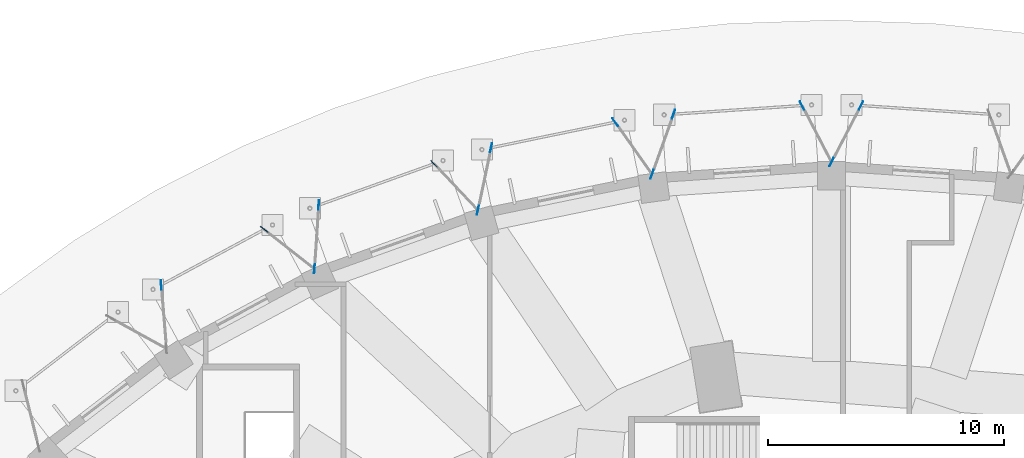
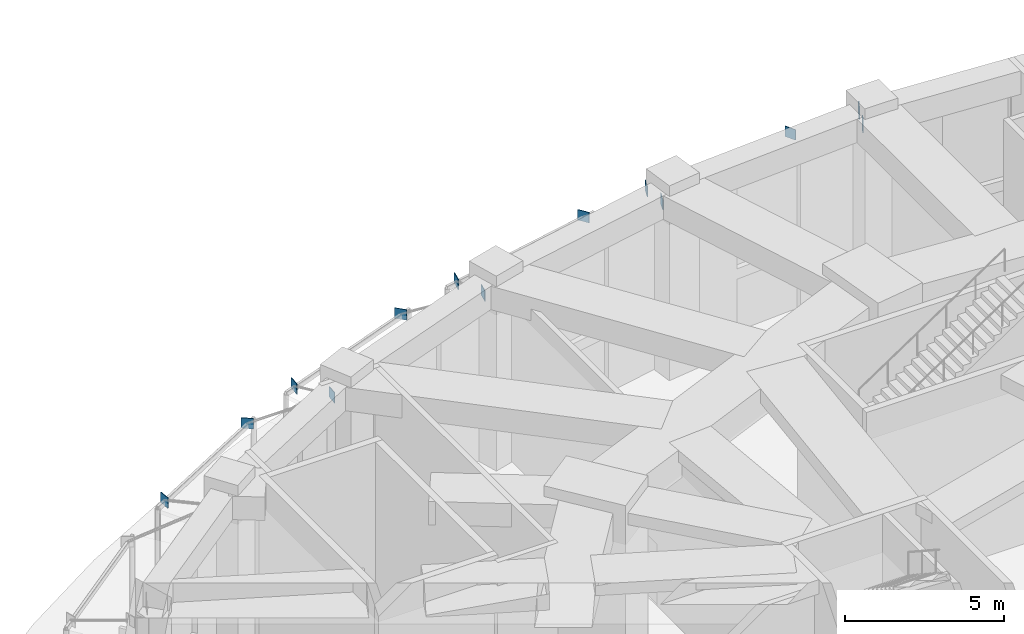
# One storey, part 49 of 60: 13 discrete accessories.
"""IFC4 building model written with IfcOpenShell, lengths in metres."""

import ifcopenshell
import ifcopenshell.guid

model = None  # the IFC model being written
_history = None  # IfcOwnerHistory: only IFC2X3 demands one
_inside = {}  # id of a spatial element -> (the spatial element, [elements in it])
_under = {}  # id of a project, library or spatial element -> (it, [spatial elements below it])
_declared = {}  # id of a project -> (the project, [libraries it declares])
_typed = {}  # id of a type object -> (the type object, [elements of that type])
_made_of = {}  # id of a material, layer set ... -> (it, [elements and type objects made of it])


def new_model(schema):
    """Start an empty IFC model of exactly this schema.

    Asked for "IFC4X3", IfcOpenShell would pick the latest addendum, in which some entities
    have other attributes; the version numbers below select the first issue.
    IFC2X3 requires an IfcOwnerHistory on every rooted entity: one is made here for all.
    """
    global model, _history
    if schema == "IFC4X3":
        model = ifcopenshell.file(schema_version=(4, 3, 0, 0))
    else:
        model = ifcopenshell.file(schema=schema)
    _inside.clear()
    _under.clear()
    _declared.clear()
    _typed.clear()
    _made_of.clear()
    _history = None
    if model.schema == "IFC2X3":
        org = make("IfcOrganization", Name="unknown")
        user = make(
            "IfcPersonAndOrganization",
            ThePerson=make("IfcPerson", FamilyName="unknown"),
            TheOrganization=org,
        )
        app = make(
            "IfcApplication",
            ApplicationDeveloper=org,
            Version="unknown",
            ApplicationFullName="unknown",
            ApplicationIdentifier="unknown",
        )
        _history = make(
            "IfcOwnerHistory",
            OwningUser=user,
            OwningApplication=app,
            ChangeAction="ADDED",
            CreationDate=0,
        )
    return model


def make(cls, **values):
    """One entity of the class cls with the attributes given. An attribute that is None is left unset."""
    return model.create_entity(
        cls, **{name: value for name, value in values.items() if value is not None}
    )


def rooted(cls, **values):
    """An entity with a GlobalId (a new one), such as an element, a storey or a relation."""
    return make(cls, GlobalId=ifcopenshell.guid.new(), OwnerHistory=_history, **values)


def si_unit(unit_type, name, prefix=None):
    """IfcSIUnit, for example si_unit("LENGTHUNIT", "METRE", prefix="MILLI")."""
    return make("IfcSIUnit", UnitType=unit_type, Prefix=prefix, Name=name)


def assignment(units):
    """IfcUnitAssignment: the units of a project."""
    return None if units is None else make("IfcUnitAssignment", Units=units)


def point(xyz):
    """IfcCartesianPoint."""
    return None if xyz is None else make("IfcCartesianPoint", Coordinates=xyz)


def direction(xyz):
    """IfcDirection."""
    return None if xyz is None else make("IfcDirection", DirectionRatios=xyz)


def frame(location, z_axis=None, x_axis=None):
    """IfcAxis2Placement3D, a coordinate frame: its origin and axes. An axis left out is left unset."""
    return make(
        "IfcAxis2Placement3D",
        Location=point(location),
        Axis=direction(z_axis),
        RefDirection=direction(x_axis),
    )


def frame_2d(location, x_axis=None):
    """IfcAxis2Placement2D, a coordinate frame in the plane: its origin and x axis."""
    return make(
        "IfcAxis2Placement2D", Location=point(location), RefDirection=direction(x_axis)
    )


def origin():
    """The frame at (0, 0, 0) with its axes left unset."""
    return frame((0.0, 0.0, 0.0))


def origin_2d():
    """The frame at (0, 0) in the plane with its x axis left unset."""
    return frame_2d((0.0, 0.0))


def place(relative_to, where):
    """IfcLocalPlacement: puts the frame where relative to a parent placement (None: the world)."""
    return make(
        "IfcLocalPlacement", PlacementRelTo=relative_to, RelativePlacement=where
    )


def context(
    kind, dimensions, precision=None, world=None, true_north=None, identifier=None
):
    """IfcGeometricRepresentationContext, for example the 3D "Model" context."""
    return make(
        "IfcGeometricRepresentationContext",
        ContextIdentifier=identifier,
        ContextType=kind,
        CoordinateSpaceDimension=dimensions,
        Precision=precision,
        WorldCoordinateSystem=world,
        TrueNorth=true_north,
    )


def subcontext(parent, identifier, kind, view, scale=None):
    """IfcGeometricRepresentationSubContext, for example "Body" below "Model"."""
    return make(
        "IfcGeometricRepresentationSubContext",
        ContextIdentifier=identifier,
        ContextType=kind,
        ParentContext=parent,
        TargetScale=scale,
        TargetView=view,
    )


def project(units=None, contexts=None):
    """IfcProject with its units and contexts."""
    return rooted(
        "IfcProject",
        Name="project",
        RepresentationContexts=contexts,
        UnitsInContext=assignment(units),
    )


def spatial(cls, under=None, at=None, **own):
    """A site, building, storey or space (cls), placed at a placement, below another one or the project."""
    s = rooted(cls, ObjectPlacement=at, **own)
    if under is not None:
        _under.setdefault(under.id(), (under, []))[1].append(s)
    return s


def profile(cls, at=None, kind="AREA", **sizes):
    """A parametric profile (cls). Its sizes go by their IFC names, for example OverallWidth=200.0."""
    return make(cls, ProfileType=kind, Position=at, **sizes)


def rectangle(**sizes):
    """IfcRectangleProfileDef."""
    return profile("IfcRectangleProfileDef", **sizes)


def extrude(swept, where, along, depth):
    """IfcExtrudedAreaSolid: the profile swept, set in the frame where, extruded along a direction by depth."""
    return make(
        "IfcExtrudedAreaSolid",
        SweptArea=swept,
        Position=where,
        ExtrudedDirection=direction(along),
        Depth=depth,
    )


def shape(context_of_items, identifier, shape_type, items):
    """IfcShapeRepresentation: the items that make up one representation, for example the "Body"."""
    return make(
        "IfcShapeRepresentation",
        ContextOfItems=context_of_items,
        RepresentationIdentifier=identifier,
        RepresentationType=shape_type,
        Items=items,
    )


def material(Name=None, Category=None):
    """IfcMaterial."""
    return make("IfcMaterial", Name=Name, Category=Category)


def made_of(thing, what):
    """Note that an element or type object is made of a material, layer set ...; save() writes the relation."""
    if what is not None:
        _made_of.setdefault(what.id(), (what, []))[1].append(thing)
    return thing


def type_object(cls, material=None, **own):
    """A type object (cls), such as IfcWallType, which elements share."""
    return made_of(rooted(cls, **own), material)


def element(
    cls,
    number,
    at=None,
    inside=None,
    cuts=None,
    type_object=None,
    material=None,
    context=None,
    identifier="Body",
    shape_type=None,
    held_by="IfcProductDefinitionShape",
    body=None,
    shapes=None,
    **own,
):
    """One element of the class cls, such as IfcWall. Its Tag is "e" and its number.

    at: its placement. inside: the storey or other place that contains it. cuts: it is an
    opening in that element (IfcRelVoidsElement). A single representation is given by context,
    identifier, shape_type and body (its items); several are given by shapes. held_by: the class
    of the entity that holds the representations. save() writes the other relations.
    """
    e = rooted(cls, Tag="e%d" % number, ObjectPlacement=at, **own)
    if body is not None:
        shapes = [shape(context, identifier, shape_type, body)]
    if shapes is not None:
        e.Representation = make(held_by, Representations=shapes)
    if inside is not None:
        _inside.setdefault(inside.id(), (inside, []))[1].append(e)
    if cuts is not None:
        rooted(
            "IfcRelVoidsElement", RelatingBuildingElement=cuts, RelatedOpeningElement=e
        )
    if type_object is not None:
        _typed.setdefault(type_object.id(), (type_object, []))[1].append(e)
    return made_of(e, material)


def aggregate(whole, parts):
    """IfcRelAggregates: a whole, such as a stair, and the parts it consists of."""
    return rooted("IfcRelAggregates", RelatingObject=whole, RelatedObjects=parts)


def save(model, path):
    """Write the relations noted so far, then the file.

    IfcRelAggregates (storeys below a building ...), IfcRelContainedInSpatialStructure (elements
    in a storey), IfcRelDefinesByType, IfcRelAssociatesMaterial and IfcRelDeclares: one each for
    every whole, place, type object, material and project.
    """
    for whole, parts in _under.values():
        aggregate(whole, parts)
    for where, things in _inside.values():
        rooted(
            "IfcRelContainedInSpatialStructure",
            RelatedElements=things,
            RelatingStructure=where,
        )
    for kind, things in _typed.values():
        rooted("IfcRelDefinesByType", RelatedObjects=things, RelatingType=kind)
    for what, things in _made_of.values():
        rooted("IfcRelAssociatesMaterial", RelatedObjects=things, RelatingMaterial=what)
    for by, libraries in _declared.values():
        rooted("IfcRelDeclares", RelatingContext=by, RelatedDefinitions=libraries)
    model.write(path)


model = new_model("IFC4")

# Units and contexts
model_context = context("Model", 3, precision=1e-05, world=origin(), true_north=direction((0.0, 1.0)))
body_context = subcontext(model_context, "Body", "Model", "MODEL_VIEW")
ifc_project = project(units=[si_unit("LENGTHUNIT", "METRE"), si_unit("AREAUNIT", "SQUARE_METRE"), si_unit("VOLUMEUNIT", "CUBIC_METRE"), si_unit("PLANEANGLEUNIT", "RADIAN"), si_unit("MASSUNIT", "GRAM", prefix="KILO")], contexts=[model_context])

# Site, building, storey
site_placement = place(None, origin())
site = spatial("IfcSite", under=ifc_project, at=site_placement, CompositionType="ELEMENT")
building_placement = place(site_placement, origin())
building = spatial("IfcBuilding", under=site, at=building_placement, Name="Taillehof Tower", CompositionType="ELEMENT")
storey_placement = place(building_placement, origin())
storey = spatial("IfcBuildingStorey", under=building, at=storey_placement, Name="L00", CompositionType="ELEMENT", Elevation=0.0)

# Discrete accessories
ifc_material = material(Name="Steel S460M", Category="steel")
discrete_accessory_type = type_object("IfcDiscreteAccessoryType", Name="Steel gusset plate", PredefinedType="BRACKET", material=ifc_material)
for number, where, z_axis, x_axis, name in (
    (1, (-28.429931640625, 28.760009765625, 4.43994140625), (0.0, 0.0, 1.0), (0.081679326265, -0.996658661559, 0.0), "Gusset plate 011"),
    (2, (-24.06005859375, 31.1201171875, 4.43994140625), (0.0, 0.0, 1.0), (0.78727306003, -0.616604515838, 0.0), "Gusset plate 015"),
    (3, (-21.929931640625, 29.449951171875, 5.800048828125), (0.0, 0.0, 1.0), (-0.067477222945, -0.997720814849, 0.0), "Gusset plate 017"),
    (4, (-21.75, 32.14990234375, 4.43994140625), (0.0, 0.0, 1.0), (-0.067477222945, -0.997720814849, 0.0), "Gusset plate 019"),
    (5, (-16.860107421875, 33.89990234375, 4.43994140625), (0.0, 0.0, 1.0), (0.68625137069, -0.727364459006, 0.0), "Gusset plate 021"),
    (6, (-15.0, 31.929931640625, 5.800048828125), (0.0, 0.0, 1.0), (-0.206887263232, -0.978364788978, 0.0), "Gusset plate 023"),
    (7, (-14.43994140625, 34.580078125, 4.43994140625), (0.0, 0.0, 1.0), (-0.206887263232, -0.978364788978, 0.0), "Gusset plate 024"),
    (8, (-9.179931640625, 35.669921875, 4.43994140625), (0.0, 0.0, 1.0), (0.576928522854, -0.816794637297, 0.0), "Gusset plate 025"),
    (9, (-7.610107421875, 33.4599609375, 5.800048828125), (0.0, 0.0, 1.0), (-0.33761445077, -0.941284485494, 0.0), "Gusset plate 027"),
    (10, (-6.699951171875, 36.010009765625, 4.43994140625), (0.0, 0.0, 1.0), (-0.33761445077, -0.941284485494, 0.0), "Gusset plate 029"),
    (11, (-1.25, 36.3701171875, 4.43994140625), (0.0, 0.0, 1.0), (0.46066922805, -0.887571891357, 0.0), "Gusset plate 031"),
    (12, (0.0, 33.969970703125, 5.800048828125), (0.0, 0.0, 1.0), (-0.46066922805, -0.887571891357, 0.0), "Gusset plate 033"),
    (13, (1.25, 36.3701171875, 4.43994140625), (0.0, 0.0, 1.0), (-0.46066922805, -0.887571891357, 0.0), "Gusset plate 035"),
):
    element("IfcDiscreteAccessory", number, at=place(storey_placement, frame(where, z_axis=z_axis, x_axis=x_axis)), inside=storey, type_object=discrete_accessory_type, Name=name, PredefinedType="BRACKET", context=body_context, shape_type="SweptSolid", body=[
        extrude(rectangle(XDim=0.39990234375, YDim=0.02490234375, at=origin_2d()), origin(), (0.0, 0.0, 1.0), 0.39990234375),
    ])

save(model, "model.ifc")
